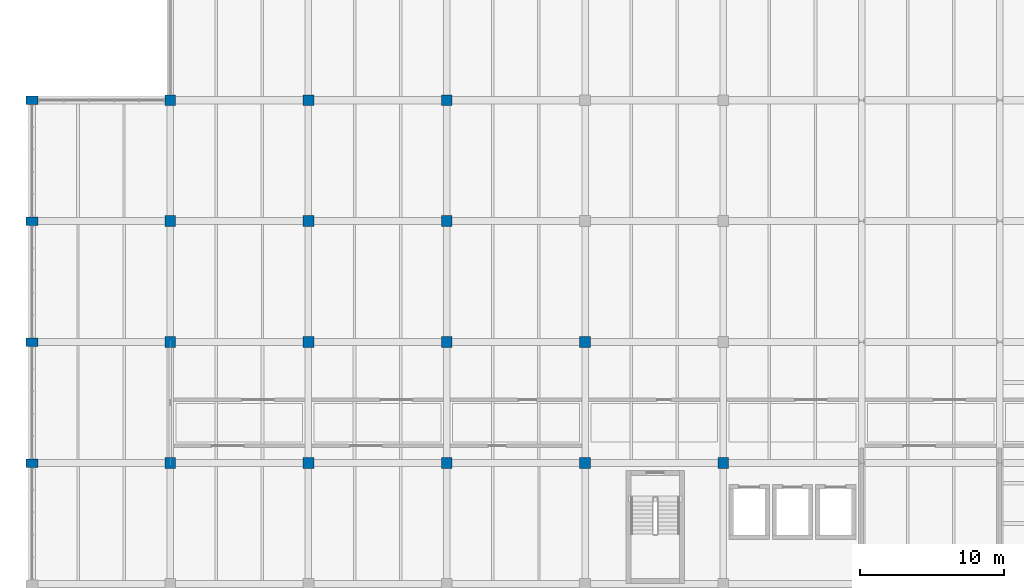
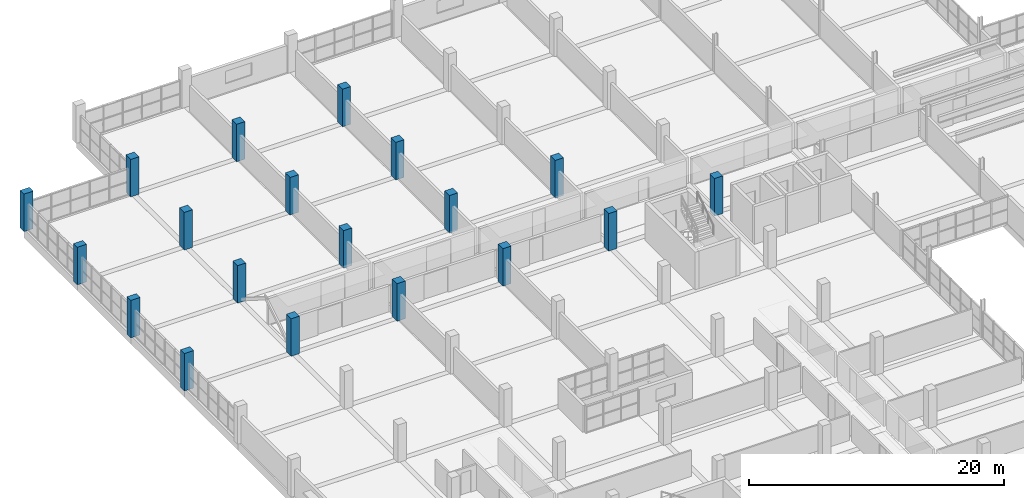
# One storey, part 8 of 147: 19 columns.
"""IFC4 building model written with IfcOpenShell, lengths in metres."""

from ifc_helpers import new_model, si_unit, direction, frame, origin, origin_2d, place, context, subcontext, project, spatial, rectangle, extrude, material, material_profile, profile_set, type_object, element, save


model = new_model("IFC4")

# Units and contexts
model_context = context("Model", 3, precision=1e-05, world=origin(), true_north=direction((0.0, 1.0)))
body_context = subcontext(model_context, "Body", "Model", "MODEL_VIEW")
ifc_project = project(units=[si_unit("LENGTHUNIT", "METRE"), si_unit("AREAUNIT", "SQUARE_METRE"), si_unit("VOLUMEUNIT", "CUBIC_METRE"), si_unit("PLANEANGLEUNIT", "RADIAN"), si_unit("MASSUNIT", "GRAM", prefix="KILO")], contexts=[model_context])

# Site, building, storey
site_placement = place(None, origin())
site = spatial("IfcSite", under=ifc_project, at=site_placement, CompositionType="ELEMENT")
building_placement = place(site_placement, origin())
building = spatial("IfcBuilding", under=site, at=building_placement, Name="Oolite Switchyard Hospital", CompositionType="ELEMENT")
storey_placement = place(building_placement, frame((0.0, 0.0, 9.89990234375)))
storey = spatial("IfcBuildingStorey", under=building, at=storey_placement, Name="L02", CompositionType="ELEMENT", Elevation=9.89990234375)

# Columns
ifc_material = material(Name="Concrete C50/60", Category="concrete")
ifc_material_profile_1 = material_profile(ifc_material, rectangle(XDim=0.75, YDim=0.75, at=origin_2d()), Name="RC750X750")
ifc_profile_set_1 = profile_set([ifc_material_profile_1], Name="Concrete C50/60")
column_type_1 = type_object("IfcColumnType", Name="COL-RC750", PredefinedType="COLUMN", material=ifc_profile_set_1)
for number, where, z_axis, x_axis, name in (
    (1, (9.60009765625, 100.800048828125, 0.0), (0.0, 0.0, 1.0), (1.0, 0.0, 0.0), "L02 Column 665"),
    (2, (9.60009765625, 109.199951171875, 0.0), (0.0, 0.0, 1.0), (1.0, 0.0, 0.0), "L02 Column 666"),
    (3, (9.60009765625, 117.60009765625, 0.0), (0.0, 0.0, 1.0), (1.0, 0.0, 0.0), "L02 Column 667"),
    (4, (9.60009765625, 126.0, 0.0), (0.0, 0.0, 1.0), (1.0, 0.0, 0.0), "L02 Column 668"),
    (5, (19.199951171875, 100.800048828125, 0.0), (0.0, 0.0, 1.0), (1.0, 0.0, 0.0), "L02 Column 678"),
    (6, (19.199951171875, 109.199951171875, 0.0), (0.0, 0.0, 1.0), (1.0, 0.0, 0.0), "L02 Column 679"),
    (7, (19.199951171875, 117.60009765625, 0.0), (0.0, 0.0, 1.0), (1.0, 0.0, 0.0), "L02 Column 680"),
    (8, (19.199951171875, 126.0, 0.0), (0.0, 0.0, 1.0), (1.0, 0.0, 0.0), "L02 Column 681"),
    (9, (28.800048828125, 100.800048828125, 0.0), (0.0, 0.0, 1.0), (1.0, 0.0, 0.0), "L02 Column 691"),
    (10, (28.800048828125, 109.199951171875, 0.0), (0.0, 0.0, 1.0), (1.0, 0.0, 0.0), "L02 Column 692"),
    (11, (28.800048828125, 117.60009765625, 0.0), (0.0, 0.0, 1.0), (1.0, 0.0, 0.0), "L02 Column 693"),
    (12, (28.800048828125, 126.0, 0.0), (0.0, 0.0, 1.0), (1.0, 0.0, 0.0), "L02 Column 694"),
    (13, (38.39990234375, 100.800048828125, 0.0), (0.0, 0.0, 1.0), (1.0, 0.0, 0.0), "L02 Column 704"),
    (14, (38.39990234375, 109.199951171875, 0.0), (0.0, 0.0, 1.0), (1.0, 0.0, 0.0), "L02 Column 705"),
    (15, (48.0, 100.800048828125, 0.0), (0.0, 0.0, 1.0), (1.0, 0.0, 0.0), "L02 Column 717"),
):
    element("IfcColumn", number, at=place(storey_placement, frame(where, z_axis=z_axis, x_axis=x_axis)), inside=storey, type_object=column_type_1, Name=name, PredefinedType="COLUMN", context=body_context, shape_type="SweptSolid", body=[
        extrude(rectangle(XDim=0.75, YDim=0.75, at=origin_2d()), origin(), (0.0, 0.0, 1.0), 3.60009765625),
    ])
ifc_material_profile_2 = material_profile(ifc_material, rectangle(XDim=0.85009765625, YDim=0.60009765625, at=origin_2d()), Name="RC850X600")
ifc_profile_set_2 = profile_set([ifc_material_profile_2], Name="Concrete C50/60")
column_type_2 = type_object("IfcColumnType", Name="COL-RCR850", PredefinedType="COLUMN", material=ifc_profile_set_2)
for number, where, z_axis, x_axis, name in (
    (16, (0.0, 100.800048828125, 0.0), (0.0, 0.0, 1.0), (1.0, 0.0, 0.0), "L02 Column 653"),
    (17, (0.0, 109.199951171875, 0.0), (0.0, 0.0, 1.0), (1.0, 0.0, 0.0), "L02 Column 654"),
    (18, (0.0, 117.60009765625, 0.0), (0.0, 0.0, 1.0), (1.0, 0.0, 0.0), "L02 Column 655"),
    (19, (0.0, 126.0, 0.0), (0.0, 0.0, 1.0), (1.0, 0.0, 0.0), "L02 Column 656"),
):
    element("IfcColumn", number, at=place(storey_placement, frame(where, z_axis=z_axis, x_axis=x_axis)), inside=storey, type_object=column_type_2, Name=name, PredefinedType="COLUMN", context=body_context, shape_type="SweptSolid", body=[
        extrude(rectangle(XDim=0.85009765625, YDim=0.60009765625, at=origin_2d()), origin(), (0.0, 0.0, 1.0), 3.60009765625),
    ])

save(model, "model.ifc")
